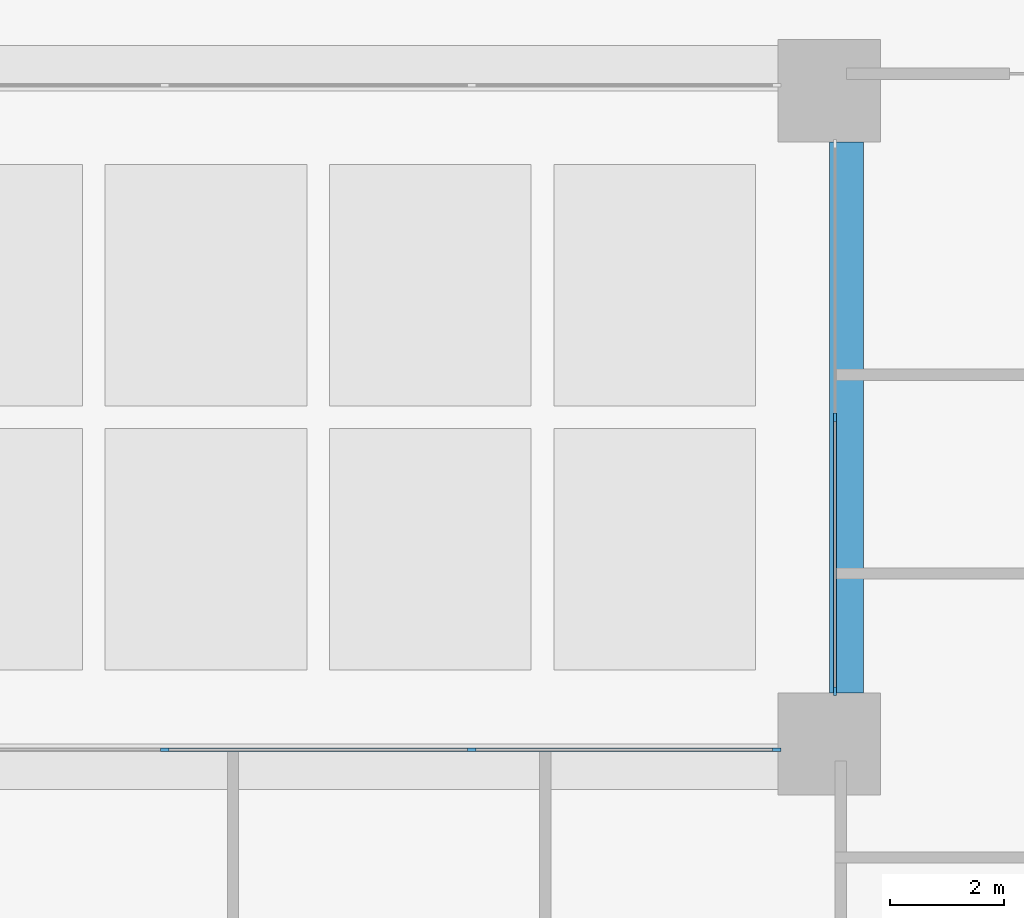
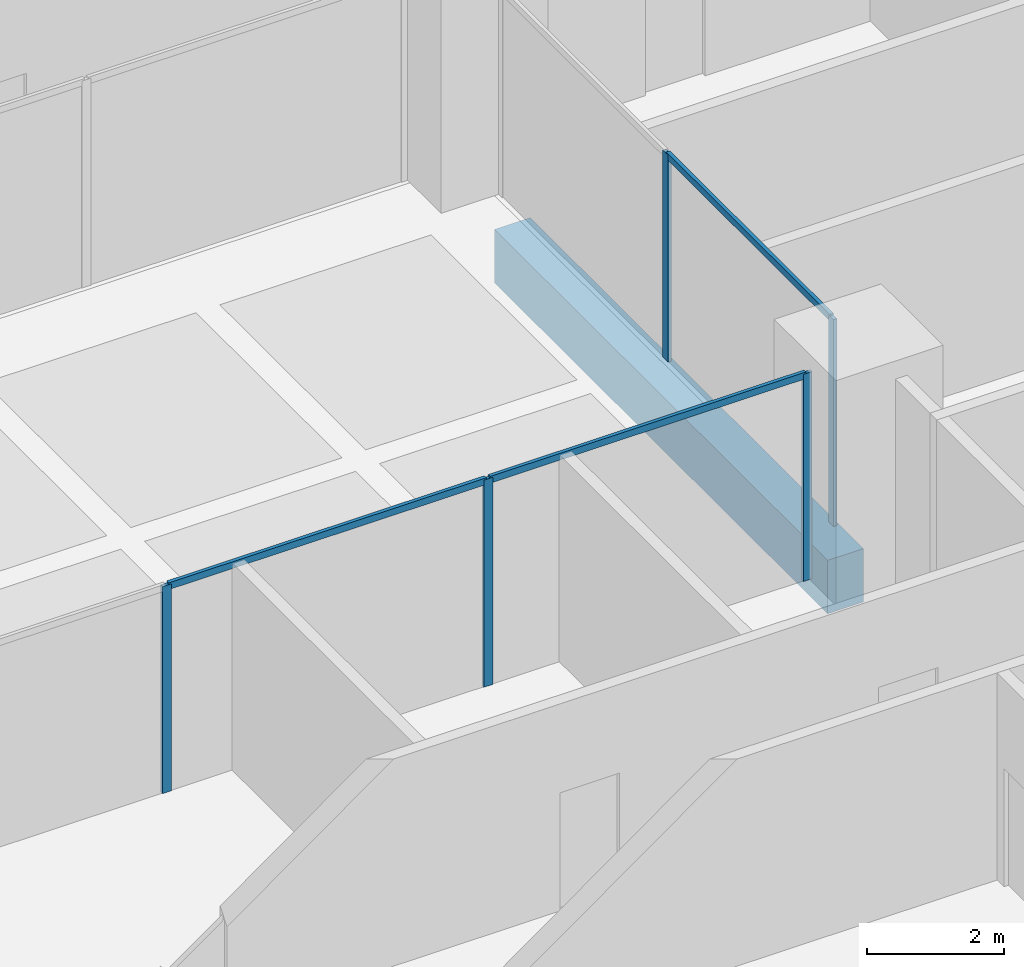
# One storey, part 5 of 24: 8 members, 1 beam, 2 elements without a shape of their own.
"""IFC4 building model written with IfcOpenShell, lengths in metres."""

from ifc_helpers import new_model, si_unit, direction, frame, origin, origin_2d, place, context, subcontext, project, spatial, rectangle, extrude, material, layer, layer_set, material_profile, profile_set, type_object, element, aggregate, save


model = new_model("IFC4")

# Units and contexts
model_context = context("Model", 3, precision=1e-05, world=origin(), true_north=direction((0.0, 1.0)))
body_context = subcontext(model_context, "Body", "Model", "MODEL_VIEW")
ifc_project = project(units=[si_unit("LENGTHUNIT", "METRE"), si_unit("AREAUNIT", "SQUARE_METRE"), si_unit("VOLUMEUNIT", "CUBIC_METRE"), si_unit("PLANEANGLEUNIT", "RADIAN"), si_unit("MASSUNIT", "GRAM", prefix="KILO")], contexts=[model_context])

# Site, building, storey
site_placement = place(None, origin())
site = spatial("IfcSite", under=ifc_project, at=site_placement, CompositionType="ELEMENT")
building_placement = place(site_placement, origin())
building = spatial("IfcBuilding", under=site, at=building_placement, Name="Brigalow Station Residences", CompositionType="ELEMENT")
storey_placement = place(building_placement, frame((0.0, 0.0, 15.5)))
storey = spatial("IfcBuildingStorey", under=building, at=storey_placement, Name="L03", CompositionType="ELEMENT", Elevation=15.5)

# Beam
ifc_material_1 = material(Name="Concrete C65", Category="concrete")
ifc_material_profile_1 = material_profile(ifc_material_1, rectangle(XDim=0.60009765625, YDim=0.949951171875, at=origin_2d()), Name="RC600x950")
ifc_profile_set_1 = profile_set([ifc_material_profile_1], Name="Concrete C65")
beam_type = type_object("IfcBeamType", Name="ATRIUM EDGE GIRDER 600x950 C65", PredefinedType="BEAM", material=ifc_profile_set_1)
beam_placement = place(storey_placement, frame((45.300048828125, 24.89990234375, -1.074951171875), z_axis=(0.0, 1.0, 0.0), x_axis=(-1.0, 0.0, 0.0)))
element("IfcBeam", 1, at=beam_placement, inside=storey, type_object=beam_type, Name="ATRIUM EDGE GIRDER 5 L03", PredefinedType="BEAM", context=body_context, shape_type="SweptSolid", body=[
    extrude(rectangle(XDim=0.60009765625, YDim=0.949951171875, at=origin_2d()), origin(), (0.0, 0.0, 1.0), 9.7001953125),
])

# Curtain wall, members
ifc_material_2 = material(Name="Aluminium", Category="aluminium")
ifc_layer = layer(ifc_material_2, 0.14990234375)
ifc_layer_set = layer_set([ifc_layer], Name="ATRIUM FIRE-RATED GLAZING CURTAIN WALL")
curtain_wall_type = type_object("IfcCurtainWallType", Name="ATRIUM FIRE-RATED GLAZING CURTAIN WALL", PredefinedType="NOTDEFINED", material=ifc_layer_set)
curtain_wall_1_placement = place(storey_placement, origin())
curtain_wall_1 = element("IfcCurtainWall", 2, at=curtain_wall_1_placement, inside=storey, type_object=curtain_wall_type, Name="L03/cw/atrium-S", PredefinedType="NOTDEFINED")
ifc_material_3 = material(Name="Aluminium", Category="aluminium")
ifc_material_profile_2 = material_profile(ifc_material_3, rectangle(XDim=0.06005859375, YDim=0.14990234375, at=origin_2d()), Name="ATRIUM FIRE-RATED GLAZING MULLION 60x150")
ifc_profile_set_2 = profile_set([ifc_material_profile_2], Name="Aluminium")
member_type_1 = type_object("IfcMemberType", Name="ATRIUM FIRE-RATED GLAZING MULLION 60x150", PredefinedType="MULLION", material=ifc_profile_set_2)
member_1_placement = place(storey_placement, frame((33.300048828125, 23.89990234375, 0.0), z_axis=(0.0, 0.0, 1.0), x_axis=(0.0, 1.0, 0.0)))
member_1 = element("IfcMember", 3, at=member_1_placement, type_object=member_type_1, Name="L03/cw/atrium-S/M01", PredefinedType="MULLION", context=body_context, shape_type="SweptSolid", body=[
    extrude(rectangle(XDim=0.06005859375, YDim=0.14990234375, at=origin_2d()), origin(), (0.0, 0.0, 1.0), 3.679931640625),
])
member_2_placement = place(storey_placement, frame((38.699951171875, 23.89990234375, 0.0), z_axis=(0.0, 0.0, 1.0), x_axis=(0.0, 1.0, 0.0)))
member_2 = element("IfcMember", 4, at=member_2_placement, type_object=member_type_1, Name="L03/cw/atrium-S/M02", PredefinedType="MULLION", context=body_context, shape_type="SweptSolid", body=[
    extrude(rectangle(XDim=0.06005859375, YDim=0.14990234375, at=origin_2d()), origin(), (0.0, 0.0, 1.0), 3.679931640625),
])
member_3_placement = place(storey_placement, frame((44.070068359375, 23.89990234375, 0.0), z_axis=(0.0, 0.0, 1.0), x_axis=(0.0, 1.0, 0.0)))
member_3 = element("IfcMember", 5, at=member_3_placement, type_object=member_type_1, Name="L03/cw/atrium-S/M03", PredefinedType="MULLION", context=body_context, shape_type="SweptSolid", body=[
    extrude(rectangle(XDim=0.06005859375, YDim=0.14990234375, at=origin_2d()), origin(), (0.0, 0.0, 1.0), 3.679931640625),
])

curtain_wall_2_placement = place(storey_placement, origin())
curtain_wall_2 = element("IfcCurtainWall", 6, at=curtain_wall_2_placement, inside=storey, type_object=curtain_wall_type, Name="L03/cw/atrium-E", PredefinedType="NOTDEFINED")
member_4_placement = place(storey_placement, frame((45.10009765625, 24.929931640625, 0.0), z_axis=(0.0, 0.0, 1.0), x_axis=(-1.0, 0.0, 0.0)))
member_4 = element("IfcMember", 7, at=member_4_placement, type_object=member_type_1, Name="L03/cw/atrium-E/M00", PredefinedType="MULLION", context=body_context, shape_type="SweptSolid", body=[
    extrude(rectangle(XDim=0.06005859375, YDim=0.14990234375, at=origin_2d()), origin(), (0.0, 0.0, 1.0), 3.679931640625),
])
member_5_placement = place(storey_placement, frame((45.10009765625, 29.75, 0.0), z_axis=(0.0, 0.0, 1.0), x_axis=(-1.0, 0.0, 0.0)))
member_5 = element("IfcMember", 8, at=member_5_placement, type_object=member_type_1, Name="L03/cw/atrium-E/M01", PredefinedType="MULLION", context=body_context, shape_type="SweptSolid", body=[
    extrude(rectangle(XDim=0.06005859375, YDim=0.14990234375, at=origin_2d()), origin(), (0.0, 0.0, 1.0), 3.679931640625),
])

# Member
ifc_material_4 = material(Name="Aluminium", Category="aluminium")
ifc_material_profile_3 = material_profile(ifc_material_4, rectangle(XDim=0.06005859375, YDim=0.1201171875, at=origin_2d()), Name="ATRIUM FIRE-RATED GLAZING TRANSOM 60x120")
ifc_profile_set_3 = profile_set([ifc_material_profile_3], Name="Aluminium")
member_type_2 = type_object("IfcMemberType", Name="ATRIUM FIRE-RATED GLAZING TRANSOM 60x120", PredefinedType="USERDEFINED", material=ifc_profile_set_3)
member_6_placement = place(storey_placement, frame((33.330078125, 23.89990234375, 3.64990234375), z_axis=(1.0, 0.0, 0.0), x_axis=(0.0, 1.0, 0.0)))
member_6 = element("IfcMember", 9, at=member_6_placement, type_object=member_type_2, Name="L03/cw/atrium-S/T01-00", ObjectType="TRANSOM", PredefinedType="USERDEFINED", context=body_context, shape_type="SweptSolid", body=[
    extrude(rectangle(XDim=0.06005859375, YDim=0.1201171875, at=origin_2d()), origin(), (0.0, 0.0, 1.0), 5.33984375),
])

member_7_placement = place(storey_placement, frame((38.72998046875, 23.89990234375, 3.64990234375), z_axis=(1.0, 0.0, 0.0), x_axis=(0.0, 1.0, 0.0)))
member_7 = element("IfcMember", 10, at=member_7_placement, type_object=member_type_2, Name="L03/cw/atrium-S/T02-00", ObjectType="TRANSOM", PredefinedType="USERDEFINED", context=body_context, shape_type="SweptSolid", body=[
    extrude(rectangle(XDim=0.06005859375, YDim=0.1201171875, at=origin_2d()), origin(), (0.0, 0.0, 1.0), 5.31005859375),
])

aggregate(curtain_wall_1, [member_1, member_2, member_3, member_6, member_7])

member_8_placement = place(storey_placement, frame((45.10009765625, 24.9599609375, 3.64990234375), z_axis=(0.0, 1.0, 0.0), x_axis=(-1.0, 0.0, 0.0)))
member_8 = element("IfcMember", 11, at=member_8_placement, type_object=member_type_2, Name="L03/cw/atrium-E/T00-00", ObjectType="TRANSOM", PredefinedType="USERDEFINED", context=body_context, shape_type="SweptSolid", body=[
    extrude(rectangle(XDim=0.06005859375, YDim=0.1201171875, at=origin_2d()), origin(), (0.0, 0.0, 1.0), 4.760009765625),
])

aggregate(curtain_wall_2, [member_4, member_5, member_8])

save(model, "model.ifc")
